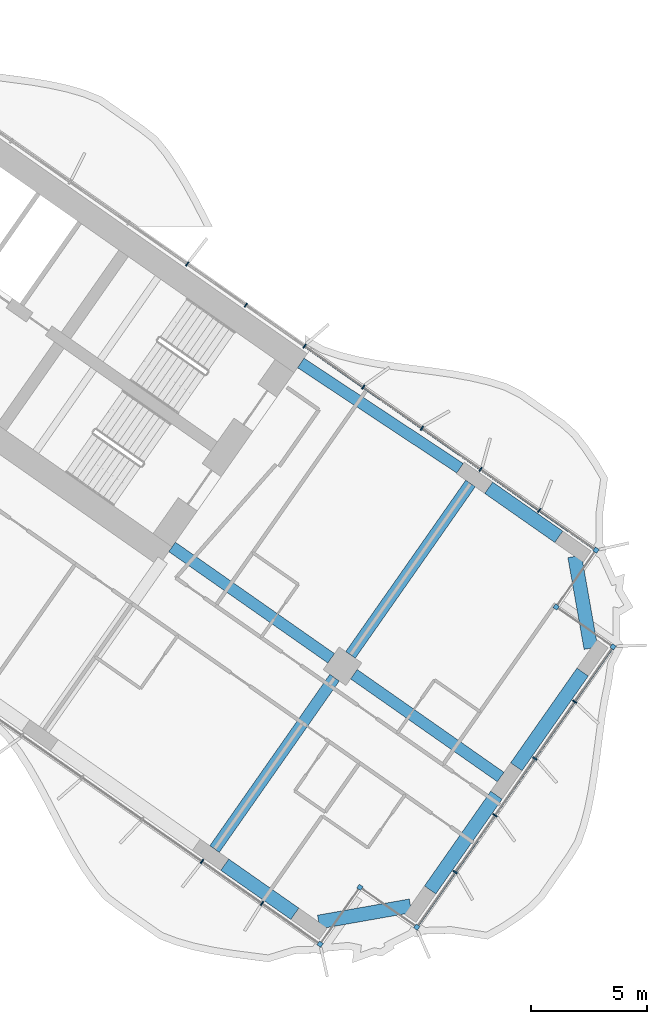
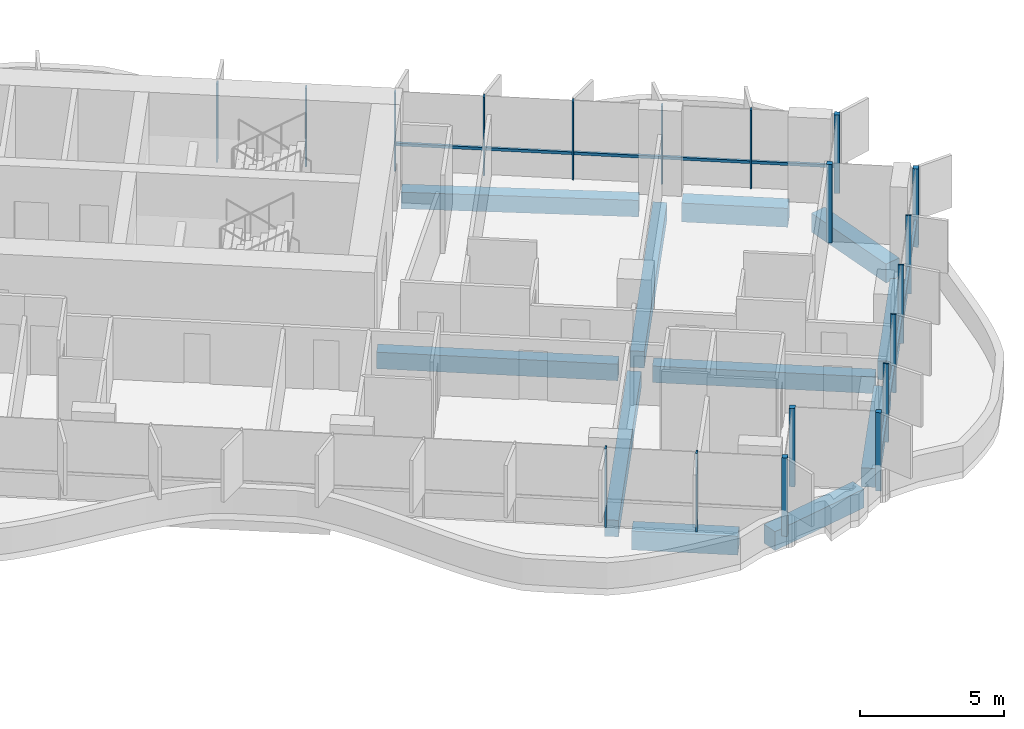
# One storey, part 9 of 23: 21 members, 11 beams, 2 elements without a shape of their own.
"""IFC4 building model written with IfcOpenShell, lengths in metres."""

from ifc_helpers import new_model, si_unit, direction, frame, origin, origin_2d, place, context, subcontext, project, spatial, rectangle, extrude, material, material_profile, profile_set, type_object, element, aggregate, save


model = new_model("IFC4")

# Units and contexts
model_context = context("Model", 3, precision=1e-05, world=origin(), true_north=direction((0.0, 1.0)))
body_context = subcontext(model_context, "Body", "Model", "MODEL_VIEW")
ifc_project = project(units=[si_unit("LENGTHUNIT", "METRE"), si_unit("AREAUNIT", "SQUARE_METRE"), si_unit("VOLUMEUNIT", "CUBIC_METRE"), si_unit("PLANEANGLEUNIT", "RADIAN"), si_unit("MASSUNIT", "GRAM", prefix="KILO")], contexts=[model_context])

# Site, building, storey
site_placement = place(None, origin())
site = spatial("IfcSite", under=ifc_project, at=site_placement, CompositionType="ELEMENT")
building_placement = place(site_placement, origin())
building = spatial("IfcBuilding", under=site, at=building_placement, Name="Tel Ilan Convention Tower", CompositionType="ELEMENT")
storey_placement = place(building_placement, frame((0.0, 0.0, 115.699951171875)))
storey = spatial("IfcBuildingStorey", under=building, at=storey_placement, Name="L25", CompositionType="ELEMENT", Elevation=115.699951171875)

# Beams
ifc_material_1 = material(Name="Concrete C40/50", Category="concrete")
ifc_material_profile_1 = material_profile(ifc_material_1, rectangle(XDim=0.5, YDim=0.699951171875, at=origin_2d()), Name="RC 500x700")
ifc_profile_set_1 = profile_set([ifc_material_profile_1], Name="Concrete C40/50")
beam_type_1 = type_object("IfcBeamType", Name="Beam RC 500x700 Concrete C40/50", PredefinedType="BEAM", material=ifc_profile_set_1)
beam_1_placement = place(storey_placement, frame((34.570556640625, -12.08447265625, -0.6298828125), z_axis=(-0.834273603487, 0.551350663847, 0.0), x_axis=(-0.551350663847, -0.834273603487, 0.0)))
element("IfcBeam", 1, at=beam_1_placement, inside=storey, type_object=beam_type_1, Name="L25 beam E-E-B4-core", PredefinedType="BEAM", context=body_context, shape_type="SweptSolid", body=[
    extrude(rectangle(XDim=0.5, YDim=0.699951171875, at=origin_2d()), origin(), (0.0, 0.0, 1.0), 8.2529296875),
])
beam_2_placement = place(storey_placement, frame((22.1171875, -15.486572265625, -0.6298828125), z_axis=(0.819147254605, -0.573583276668, 0.0), x_axis=(0.573583276668, 0.819147254605, 0.0)))
element("IfcBeam", 2, at=beam_2_placement, inside=storey, type_object=beam_type_1, Name="L25 beam E-core-E-M4", PredefinedType="BEAM", context=body_context, shape_type="SweptSolid", body=[
    extrude(rectangle(XDim=0.5, YDim=0.699951171875, at=origin_2d()), origin(), (0.0, 0.0, 1.0), 8.400146484375),
])
beam_3_placement = place(storey_placement, frame((29.98095703125, -20.992919921875, -0.6298828125), z_axis=(0.819159394801, -0.573565938589, 0.0), x_axis=(0.573565938589, 0.819159394801, 0.0)))
element("IfcBeam", 3, at=beam_3_placement, inside=storey, type_object=beam_type_1, Name="L25 beam E-E-M4-end", PredefinedType="BEAM", context=body_context, shape_type="SweptSolid", body=[
    extrude(rectangle(XDim=0.5, YDim=0.699951171875, at=origin_2d()), origin(), (0.0, 0.0, 1.0), 7.75),
])
for number, where, z_axis, x_axis, name in (
    (4, (29.145263671875, -21.14013671875, -0.6298828125), (-0.573549245583, -0.819171082798, 0.0), (0.819171082798, -0.573549245583, 0.0), "L25 beam E-E-M4-E-F4"),
    (5, (29.83349609375, -20.1572265625, -0.6298828125), (0.57358002233, 0.819149533348, 0.0), (-0.819149533348, 0.57358002233, 0.0), "L25 beam E-E-M4-E-B4"),
):
    element("IfcBeam", number, at=place(storey_placement, frame(where, z_axis=z_axis, x_axis=x_axis)), inside=storey, type_object=beam_type_1, Name=name, PredefinedType="BEAM", context=body_context, shape_type="SweptSolid", body=[
        extrude(rectangle(XDim=0.5, YDim=0.699951171875, at=origin_2d()), origin(), (0.0, 0.0, 1.0), 9.050048828125),
    ])
ifc_material_2 = material(Name="Concrete C40/50", Category="concrete")
ifc_material_profile_2 = material_profile(ifc_material_2, rectangle(XDim=0.60009765625, YDim=0.800048828125, at=origin_2d()), Name="RC 600x800")
ifc_profile_set_2 = profile_set([ifc_material_profile_2], Name="Concrete C40/50")
beam_type_2 = type_object("IfcBeamType", Name="Beam RC 600x800 Concrete C40/50", PredefinedType="BEAM", material=ifc_profile_set_2)
beam_4_placement = place(storey_placement, frame((24.396728515625, -29.2294921875, -0.679931640625), z_axis=(0.819132709951, -0.573604047656, 0.0), x_axis=(0.573604047656, 0.819132709951, 0.0)))
element("IfcBeam", 6, at=beam_4_placement, inside=storey, type_object=beam_type_2, Name="L25 beam E-E-F4-E-FC", PredefinedType="BEAM", context=body_context, shape_type="SweptSolid", body=[
    extrude(rectangle(XDim=0.60009765625, YDim=0.800048828125, at=origin_2d()), origin(), (0.0, 0.0, 1.0), 3.699951171875),
])
beam_5_placement = place(storey_placement, frame((28.459716796875, -31.708251953125, -0.679931640625), z_axis=(0.984806721117, 0.173654029734, 0.0), x_axis=(-0.173654029734, 0.984806721117, 0.0)))
element("IfcBeam", 7, at=beam_5_placement, inside=storey, type_object=beam_type_2, Name="L25 beam E-E-FC-E-E1", PredefinedType="BEAM", context=body_context, shape_type="SweptSolid", body=[
    extrude(rectangle(XDim=0.60009765625, YDim=0.800048828125, at=origin_2d()), origin(), (0.0, 0.0, 1.0), 4.03076171875),
])
for number, where, z_axis, x_axis, name in (
    (8, (33.277099609375, -30.3203125, -0.679931640625), (0.573586866468, 0.819144740944, 0.0), (-0.819144740944, 0.573586866468, 0.0), "L25 beam E-E-E1-E-E2"),
    (9, (37.00537109375, -24.995849609375, -0.679931640625), (0.573586866468, 0.819144740944, 0.0), (-0.819144740944, 0.573586866468, 0.0), "L25 beam E-E-E2-E-E3"),
):
    element("IfcBeam", number, at=place(storey_placement, frame(where, z_axis=z_axis, x_axis=x_axis)), inside=storey, type_object=beam_type_2, Name=name, PredefinedType="BEAM", context=body_context, shape_type="SweptSolid", body=[
        extrude(rectangle(XDim=0.60009765625, YDim=0.800048828125, at=origin_2d()), origin(), (0.0, 0.0, 1.0), 5.0),
    ])
beam_6_placement = place(storey_placement, frame((40.229736328125, -19.867919921875, -0.679931640625), z_axis=(-0.173664388751, 0.984804894423, 0.0), x_axis=(-0.984804894423, -0.173664388751, 0.0)))
element("IfcBeam", 10, at=beam_6_placement, inside=storey, type_object=beam_type_2, Name="L25 beam E-E-E3-E-BC", PredefinedType="BEAM", context=body_context, shape_type="SweptSolid", body=[
    extrude(rectangle(XDim=0.60009765625, YDim=0.800048828125, at=origin_2d()), origin(), (0.0, 0.0, 1.0), 4.030517578125),
])
beam_7_placement = place(storey_placement, frame((38.841796875, -15.050537109375, -0.679931640625), z_axis=(-0.819185419371, 0.573528768842, 0.0), x_axis=(-0.573528768842, -0.819185419371, 0.0)))
element("IfcBeam", 11, at=beam_7_placement, inside=storey, type_object=beam_type_2, Name="L25 beam E-E-BC-E-B4", PredefinedType="BEAM", context=body_context, shape_type="SweptSolid", body=[
    extrude(rectangle(XDim=0.60009765625, YDim=0.800048828125, at=origin_2d()), origin(), (0.0, 0.0, 1.0), 3.699951171875),
])

# Curtain wall, members
ifc_material_3 = material(Name="Aluminium, bronze anodised", Category="aluminium")
curtain_wall_type_1 = type_object("IfcCurtainWallType", Name="CW1 UNITISED CURTAIN WALL, HOTEL TINTED GLASS", PredefinedType="NOTDEFINED", material=ifc_material_3)
curtain_wall_1_placement = place(storey_placement, origin())
curtain_wall_1 = element("IfcCurtainWall", 12, at=curtain_wall_1_placement, inside=storey, type_object=curtain_wall_type_1, Name="Curtain wall CW1-20.02", PredefinedType="NOTDEFINED")
ifc_material_4 = material(Name="Aluminium, bronze anodised", Category="aluminium")
ifc_material_profile_3 = material_profile(ifc_material_4, rectangle(XDim=0.199951171875, YDim=0.199951171875, at=origin_2d()), Name="CW CORNER MULLION 200x200")
ifc_profile_set_3 = profile_set([ifc_material_profile_3], Name="Aluminium, bronze anodised")
member_type_1 = type_object("IfcMemberType", Name="CW CORNER MULLION 200x200", PredefinedType="MULLION", material=ifc_profile_set_3)
member_1_placement = place(storey_placement, frame((28.52099609375, -32.666748046875, 0.0), z_axis=(0.0, 0.0, 1.0), x_axis=(0.819152044289, -0.573576436351, 0.0)))
member_1 = element("IfcMember", 13, at=member_1_placement, type_object=member_type_1, Name="Corner mullion", PredefinedType="MULLION", context=body_context, shape_type="SweptSolid", body=[
    extrude(rectangle(XDim=0.199951171875, YDim=0.199951171875, at=origin_2d()), origin(), (0.0, 0.0, 1.0), 3.320068359375),
])
member_2_placement = place(storey_placement, frame((30.241943359375, -30.209228515625, 0.0), z_axis=(0.0, 0.0, 1.0), x_axis=(0.573576436351, 0.819152044289, 0.0)))
member_2 = element("IfcMember", 14, at=member_2_placement, type_object=member_type_1, Name="Corner mullion", PredefinedType="MULLION", context=body_context, shape_type="SweptSolid", body=[
    extrude(rectangle(XDim=0.199951171875, YDim=0.199951171875, at=origin_2d()), origin(), (0.0, 0.0, 1.0), 3.320068359375),
])
member_3_placement = place(storey_placement, frame((32.69921875, -31.929931640625, 0.0), z_axis=(0.0, 0.0, 1.0), x_axis=(0.819152044289, -0.573576436351, 0.0)))
member_3 = element("IfcMember", 15, at=member_3_placement, type_object=member_type_1, Name="Corner mullion", PredefinedType="MULLION", context=body_context, shape_type="SweptSolid", body=[
    extrude(rectangle(XDim=0.199951171875, YDim=0.199951171875, at=origin_2d()), origin(), (0.0, 0.0, 1.0), 3.320068359375),
])
member_4_placement = place(storey_placement, frame((41.188232421875, -19.806640625, 0.0), z_axis=(0.0, 0.0, 1.0), x_axis=(0.573576436351, 0.819152044289, 0.0)))
member_4 = element("IfcMember", 16, at=member_4_placement, type_object=member_type_1, Name="Corner mullion", PredefinedType="MULLION", context=body_context, shape_type="SweptSolid", body=[
    extrude(rectangle(XDim=0.199951171875, YDim=0.199951171875, at=origin_2d()), origin(), (0.0, 0.0, 1.0), 3.320068359375),
])
member_5_placement = place(storey_placement, frame((38.730712890625, -18.0859375, 0.0), z_axis=(0.0, 0.0, 1.0), x_axis=(-0.819152044289, 0.573576436351, 0.0)))
member_5 = element("IfcMember", 17, at=member_5_placement, type_object=member_type_1, Name="Corner mullion", PredefinedType="MULLION", context=body_context, shape_type="SweptSolid", body=[
    extrude(rectangle(XDim=0.199951171875, YDim=0.199951171875, at=origin_2d()), origin(), (0.0, 0.0, 1.0), 3.320068359375),
])
member_6_placement = place(storey_placement, frame((40.451416015625, -15.62841796875, 0.0), z_axis=(0.0, 0.0, 1.0), x_axis=(0.573576436351, 0.819152044289, 0.0)))
member_6 = element("IfcMember", 18, at=member_6_placement, type_object=member_type_1, Name="Corner mullion", PredefinedType="MULLION", context=body_context, shape_type="SweptSolid", body=[
    extrude(rectangle(XDim=0.199951171875, YDim=0.199951171875, at=origin_2d()), origin(), (0.0, 0.0, 1.0), 3.320068359375),
])

ifc_material_5 = material(Name="Aluminium, bronze anodised", Category="aluminium")
curtain_wall_type_2 = type_object("IfcCurtainWallType", Name="CW2 STICK CURTAIN WALL, SPANDREL PANELS", PredefinedType="NOTDEFINED", material=ifc_material_5)
curtain_wall_2_placement = place(storey_placement, origin())
curtain_wall_2 = element("IfcCurtainWall", 19, at=curtain_wall_2_placement, inside=storey, type_object=curtain_wall_type_2, Name="Curtain wall CW2-20.01", PredefinedType="NOTDEFINED")
ifc_material_6 = material(Name="Aluminium, bronze anodised", Category="aluminium")
ifc_material_profile_4 = material_profile(ifc_material_6, rectangle(XDim=0.06005859375, YDim=0.199951171875, at=origin_2d()), Name="CW MULLION 60x200")
ifc_profile_set_4 = profile_set([ifc_material_profile_4], Name="Aluminium, bronze anodised")
member_type_2 = type_object("IfcMemberType", Name="CW MULLION 60x200", PredefinedType="MULLION", material=ifc_profile_set_4)
member_7_placement = place(storey_placement, frame((27.848876953125, -6.803955078125, 0.0), z_axis=(0.0, 0.0, 1.0), x_axis=(-0.819152044289, 0.573576436351, 0.0)))
member_7 = element("IfcMember", 20, at=member_7_placement, type_object=member_type_2, Name="Mullion", PredefinedType="MULLION", context=body_context, shape_type="SweptSolid", body=[
    extrude(rectangle(XDim=0.06005859375, YDim=0.199951171875, at=origin_2d()), origin(), (0.0, 0.0, 1.0), 3.320068359375),
])
member_8_placement = place(storey_placement, frame((25.311767578125, -5.027587890625, 0.0), z_axis=(0.0, 0.0, 1.0), x_axis=(-0.819152044289, 0.573576436351, 0.0)))
member_8 = element("IfcMember", 21, at=member_8_placement, type_object=member_type_2, Name="Mullion", PredefinedType="MULLION", context=body_context, shape_type="SweptSolid", body=[
    extrude(rectangle(XDim=0.06005859375, YDim=0.199951171875, at=origin_2d()), origin(), (0.0, 0.0, 1.0), 3.320068359375),
])
member_9_placement = place(storey_placement, frame((22.77490234375, -3.251220703125, 0.0), z_axis=(0.0, 0.0, 1.0), x_axis=(-0.819152044289, 0.573576436351, 0.0)))
member_9 = element("IfcMember", 22, at=member_9_placement, type_object=member_type_2, Name="Mullion", PredefinedType="MULLION", context=body_context, shape_type="SweptSolid", body=[
    extrude(rectangle(XDim=0.06005859375, YDim=0.199951171875, at=origin_2d()), origin(), (0.0, 0.0, 1.0), 3.320068359375),
])
aggregate(curtain_wall_2, [member_7, member_8, member_9])

# Member
member_10_placement = place(storey_placement, frame((23.412841796875, -29.08984375, 0.0), z_axis=(0.0, 0.0, 1.0), x_axis=(0.819152044289, -0.573576436351, 0.0)))
member_10 = element("IfcMember", 23, at=member_10_placement, type_object=member_type_2, Name="Mullion", PredefinedType="MULLION", context=body_context, shape_type="SweptSolid", body=[
    extrude(rectangle(XDim=0.06005859375, YDim=0.199951171875, at=origin_2d()), origin(), (0.0, 0.0, 1.0), 3.320068359375),
])

member_11_placement = place(storey_placement, frame((26.008056640625, -30.906982421875, 0.0), z_axis=(0.0, 0.0, 1.0), x_axis=(0.819152044289, -0.573576436351, 0.0)))
member_11 = element("IfcMember", 24, at=member_11_placement, type_object=member_type_2, Name="Mullion", PredefinedType="MULLION", context=body_context, shape_type="SweptSolid", body=[
    extrude(rectangle(XDim=0.06005859375, YDim=0.199951171875, at=origin_2d()), origin(), (0.0, 0.0, 1.0), 3.320068359375),
])

member_12_placement = place(storey_placement, frame((34.362548828125, -29.554443359375, 0.0), z_axis=(0.0, 0.0, 1.0), x_axis=(0.573576436351, 0.819152044289, 0.0)))
member_12 = element("IfcMember", 25, at=member_12_placement, type_object=member_type_2, Name="Mullion", PredefinedType="MULLION", context=body_context, shape_type="SweptSolid", body=[
    extrude(rectangle(XDim=0.06005859375, YDim=0.199951171875, at=origin_2d()), origin(), (0.0, 0.0, 1.0), 3.320068359375),
])

member_13_placement = place(storey_placement, frame((36.08349609375, -27.096923828125, 0.0), z_axis=(0.0, 0.0, 1.0), x_axis=(0.573576436351, 0.819152044289, 0.0)))
member_13 = element("IfcMember", 26, at=member_13_placement, type_object=member_type_2, Name="Mullion", PredefinedType="MULLION", context=body_context, shape_type="SweptSolid", body=[
    extrude(rectangle(XDim=0.06005859375, YDim=0.199951171875, at=origin_2d()), origin(), (0.0, 0.0, 1.0), 3.320068359375),
])

member_14_placement = place(storey_placement, frame((37.80419921875, -24.6396484375, 0.0), z_axis=(0.0, 0.0, 1.0), x_axis=(0.573576436351, 0.819152044289, 0.0)))
member_14 = element("IfcMember", 27, at=member_14_placement, type_object=member_type_2, Name="Mullion", PredefinedType="MULLION", context=body_context, shape_type="SweptSolid", body=[
    extrude(rectangle(XDim=0.06005859375, YDim=0.199951171875, at=origin_2d()), origin(), (0.0, 0.0, 1.0), 3.320068359375),
])

member_15_placement = place(storey_placement, frame((39.52490234375, -22.18212890625, 0.0), z_axis=(0.0, 0.0, 1.0), x_axis=(0.573576436351, 0.819152044289, 0.0)))
member_15 = element("IfcMember", 28, at=member_15_placement, type_object=member_type_2, Name="Mullion", PredefinedType="MULLION", context=body_context, shape_type="SweptSolid", body=[
    extrude(rectangle(XDim=0.06005859375, YDim=0.199951171875, at=origin_2d()), origin(), (0.0, 0.0, 1.0), 3.320068359375),
])

member_16_placement = place(storey_placement, frame((37.99658203125, -13.909423828125, 0.0), z_axis=(0.0, 0.0, 1.0), x_axis=(-0.819152044289, 0.573576436351, 0.0)))
member_16 = element("IfcMember", 29, at=member_16_placement, type_object=member_type_2, Name="Mullion", PredefinedType="MULLION", context=body_context, shape_type="SweptSolid", body=[
    extrude(rectangle(XDim=0.06005859375, YDim=0.199951171875, at=origin_2d()), origin(), (0.0, 0.0, 1.0), 3.320068359375),
])

member_17_placement = place(storey_placement, frame((35.45947265625, -12.133056640625, 0.0), z_axis=(0.0, 0.0, 1.0), x_axis=(-0.819152044289, 0.573576436351, 0.0)))
member_17 = element("IfcMember", 30, at=member_17_placement, type_object=member_type_2, Name="Mullion", PredefinedType="MULLION", context=body_context, shape_type="SweptSolid", body=[
    extrude(rectangle(XDim=0.06005859375, YDim=0.199951171875, at=origin_2d()), origin(), (0.0, 0.0, 1.0), 3.320068359375),
])

member_18_placement = place(storey_placement, frame((32.922607421875, -10.356689453125, 0.0), z_axis=(0.0, 0.0, 1.0), x_axis=(-0.819152044289, 0.573576436351, 0.0)))
member_18 = element("IfcMember", 31, at=member_18_placement, type_object=member_type_2, Name="Mullion", PredefinedType="MULLION", context=body_context, shape_type="SweptSolid", body=[
    extrude(rectangle(XDim=0.06005859375, YDim=0.199951171875, at=origin_2d()), origin(), (0.0, 0.0, 1.0), 3.320068359375),
])

member_19_placement = place(storey_placement, frame((30.3857421875, -8.580322265625, 0.0), z_axis=(0.0, 0.0, 1.0), x_axis=(-0.819152044289, 0.573576436351, 0.0)))
member_19 = element("IfcMember", 32, at=member_19_placement, type_object=member_type_2, Name="Mullion", PredefinedType="MULLION", context=body_context, shape_type="SweptSolid", body=[
    extrude(rectangle(XDim=0.06005859375, YDim=0.199951171875, at=origin_2d()), origin(), (0.0, 0.0, 1.0), 3.320068359375),
])

ifc_material_7 = material(Name="Aluminium, bronze anodised", Category="aluminium")
ifc_material_profile_5 = material_profile(ifc_material_7, rectangle(XDim=0.10009765625, YDim=0.1201171875, at=origin_2d()), Name="CW TRANSOM 100x120")
ifc_profile_set_5 = profile_set([ifc_material_profile_5], Name="Aluminium, bronze anodised")
member_type_3 = type_object("IfcMemberType", Name="CW TRANSOM 100x120", PredefinedType="USERDEFINED", material=ifc_profile_set_5)
member_20_placement = place(storey_placement, frame((32.756591796875, -31.84814453125, 1.10009765625), z_axis=(0.573575688231, 0.819152568128, 0.0), x_axis=(-0.819152568128, 0.573575688231, 0.0)))
member_20 = element("IfcMember", 33, at=member_20_placement, type_object=member_type_3, Name="Transom", ObjectType="TRANSOM", PredefinedType="USERDEFINED", context=body_context, shape_type="SweptSolid", body=[
    extrude(rectangle(XDim=0.10009765625, YDim=0.1201171875, at=origin_2d()), origin(), (0.0, 0.0, 1.0), 14.60009765625),
])

member_21_placement = place(storey_placement, frame((40.36962890625, -15.571044921875, 1.10009765625), z_axis=(-0.819152967985, 0.573575117174, 0.0), x_axis=(-0.573575117174, -0.819152967985, 0.0)))
member_21 = element("IfcMember", 34, at=member_21_placement, type_object=member_type_3, Name="Transom", ObjectType="TRANSOM", PredefinedType="USERDEFINED", context=body_context, shape_type="SweptSolid", body=[
    extrude(rectangle(XDim=0.10009765625, YDim=0.1201171875, at=origin_2d()), origin(), (0.0, 0.0, 1.0), 15.255126953125),
])

aggregate(curtain_wall_1, [member_10, member_11, member_1, member_2, member_3, member_12, member_13, member_14, member_15, member_4, member_20, member_5, member_6, member_16, member_17, member_18, member_19, member_21])

save(model, "model.ifc")
